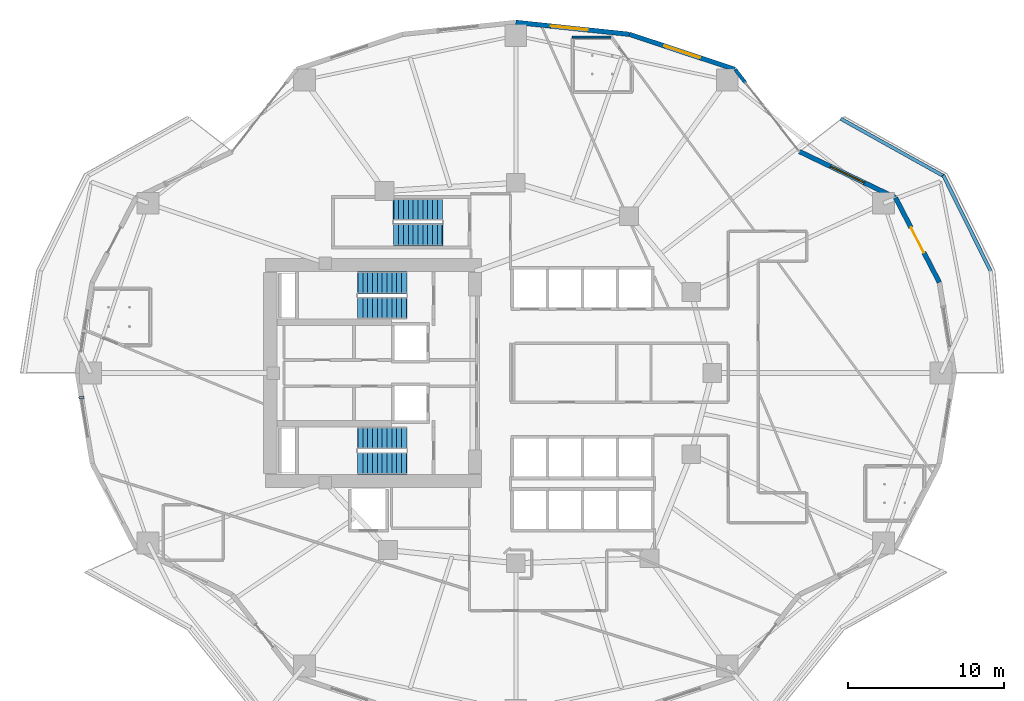
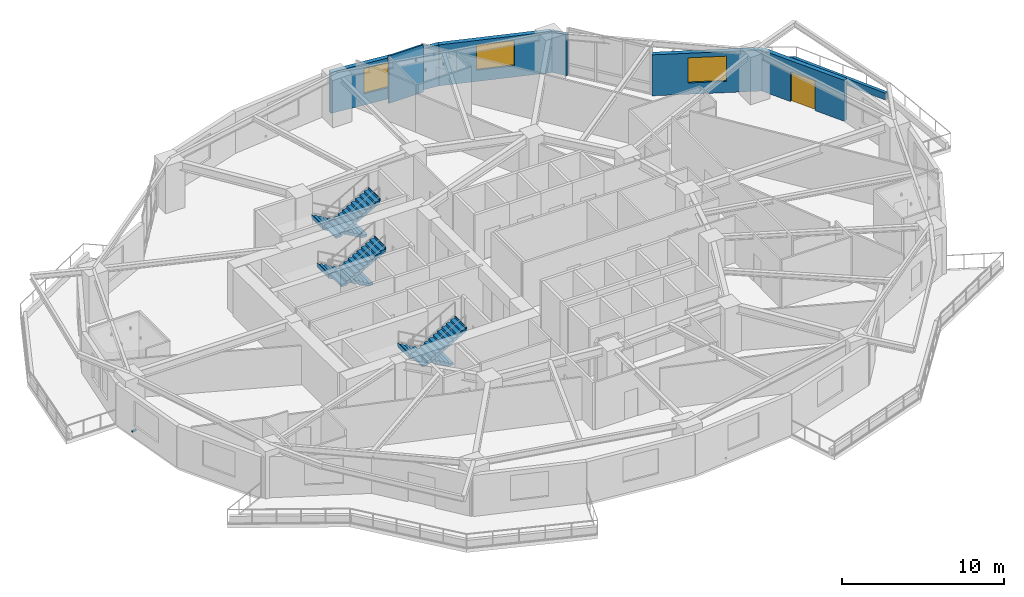
# One storey, part 9 of 18: 8 walls, 6 stair flights, 3 windows, 1 discrete accessory, 1 door, 4 openings, 3 elements without a shape of their own.
"""IFC4 building model written with IfcOpenShell, lengths in metres."""

from ifc_helpers import new_model, si_unit, direction, frame, frame_2d, origin, origin_2d, place, context, subcontext, project, spatial, polyline, rectangle, outline, extrude, material, layer, layer_set, type_object, element, fill, aggregate, save


model = new_model("IFC4")

# Units and contexts
model_context = context("Model", 3, precision=1e-05, world=origin(), true_north=direction((0.0, 1.0)))
body_context = subcontext(model_context, "Body", "Model", "MODEL_VIEW")
ifc_project = project(units=[si_unit("LENGTHUNIT", "METRE"), si_unit("AREAUNIT", "SQUARE_METRE"), si_unit("VOLUMEUNIT", "CUBIC_METRE"), si_unit("PLANEANGLEUNIT", "RADIAN"), si_unit("MASSUNIT", "GRAM", prefix="KILO")], contexts=[model_context])

# Site, building, storey
site_placement = place(None, origin())
site = spatial("IfcSite", under=ifc_project, at=site_placement, CompositionType="ELEMENT")
building_placement = place(site_placement, origin())
building = spatial("IfcBuilding", under=site, at=building_placement, Name="Kolvaren Gate Tower and Convention Centre", CompositionType="ELEMENT")
storey_placement = place(building_placement, frame((0.0, 0.0, 30.35009765625)))
storey = spatial("IfcBuildingStorey", under=building, at=storey_placement, Name="L06", CompositionType="ELEMENT", Elevation=30.35009765625)

# Walls
ifc_material_1 = material(Name="Fire-Rated Acoustic Gypsum Stud Partition", Category="gypsum")
ifc_layer_1 = layer(ifc_material_1, 0.1201171875)
ifc_layer_set_1 = layer_set([ifc_layer_1], Name="Fire-Rated Acoustic Gypsum Stud Partition")
wall_type_1 = type_object("IfcWallType", Name="ARCH-WL-PART-120", PredefinedType="PARTITIONING", material=ifc_layer_set_1)
wall_1_placement = place(storey_placement, frame((33.75, 48.550048828125, 0.0), z_axis=(0.0, 0.0, 1.0), x_axis=(1.0, 0.0, 0.0)))
element("IfcWall", 1, at=wall_1_placement, inside=storey, type_object=wall_type_1, Name="Interior Partition WL-L06-INT-058", PredefinedType="PARTITIONING", context=body_context, shape_type="SweptSolid", body=[
    extrude(rectangle(XDim=2.473388671875, YDim=0.1201171875, at=frame_2d((1.23681640625, 0.0))), origin(), (0.0, 0.0, 1.0), 3.56982421875),
])
ifc_material_2 = material(Name="Bogota Sabana Bush-Hammered Sandstone Cladding", Category="masonry")
ifc_layer_2 = layer(ifc_material_2, 0.219970703125)
ifc_layer_set_2 = layer_set([ifc_layer_2], Name="Bogota Sabana Bush-Hammered Sandstone Cladding")
wall_type_2 = type_object("IfcWallType", Name="ARCH-WL-PIER-220", PredefinedType="SOLIDWALL", material=ifc_layer_set_2)
wall_2_placement = place(storey_placement, frame((44.1875, 46.485595703125, 0.0), z_axis=(0.0, 0.0, 1.0), x_axis=(0.616387780378, -0.787442762492, 0.0)))
element("IfcWall", 2, at=wall_2_placement, inside=storey, type_object=wall_type_2, Name="Tower L06 Unitised Curtain Wall CW-OFF-UNIT Bay 03 Left Column Pier Wrap", PredefinedType="SOLIDWALL", context=body_context, shape_type="SweptSolid", body=[
    extrude(rectangle(XDim=1.076171875, YDim=0.219970703125, at=frame_2d((0.5380859375, 0.0))), origin(), (0.0, 0.0, 1.0), 3.093017578125),
])
ifc_material_3 = material(Name="Piedmont Cream Honed Limestone Cladding", Category="masonry")
ifc_layer_3 = layer(ifc_material_3, 0.219970703125)
ifc_layer_set_3 = layer_set([ifc_layer_3], Name="Piedmont Cream Honed Limestone Cladding")
wall_type_3 = type_object("IfcWallType", Name="ARCH-WL-PLANTER-220", PredefinedType="PARAPET", material=ifc_layer_set_3)
wall_3_placement = place(storey_placement, frame((57.538818359375, 39.696533203125, 0.0), z_axis=(0.0, 0.0, 1.0), x_axis=(0.443578479433, -0.8962355341, 0.0)))
element("IfcWall", 3, at=wall_3_placement, inside=storey, type_object=wall_type_3, Name="Vertical-Forest Balcony Stone Planter Kerb PK-L06-1.2", PredefinedType="PARAPET", context=body_context, shape_type="SweptSolid", body=[
    extrude(rectangle(XDim=6.9111328125, YDim=0.219970703125, at=frame_2d((3.45556640625, 0.0))), origin(), (0.0, 0.0, 1.0), 0.52001953125),
])
wall_4_placement = place(storey_placement, frame((50.959228515625, 43.322021484375, 0.0), z_axis=(0.0, 0.0, 1.0), x_axis=(0.873500119739, -0.48682393205, 0.0)))
element("IfcWall", 4, at=wall_4_placement, inside=storey, type_object=wall_type_3, Name="Vertical-Forest Balcony Stone Planter Kerb PK-L06-1.3", PredefinedType="PARAPET", context=body_context, shape_type="SweptSolid", body=[
    extrude(rectangle(XDim=7.56201171875, YDim=0.219970703125, at=frame_2d((3.781005859375, 0.0))), origin(), (0.0, 0.0, 1.0), 0.52001953125),
])

# Wall, opening, door
ifc_layer_4 = layer(ifc_material_3, 0.300048828125)
ifc_layer_set_4 = layer_set([ifc_layer_4], Name="Piedmont Cream Honed Limestone Cladding")
wall_type_4 = type_object("IfcWallType", Name="ARCH-WL-STONE-300", PredefinedType="SOLIDWALL", material=ifc_layer_set_4)
wall_5_placement = place(storey_placement, frame((54.48193359375, 38.25, 0.0), z_axis=(0.0, 0.0, 1.0), x_axis=(0.459809804413, -0.88801742312, 0.0)))
wall_5 = element("IfcWall", 5, at=wall_5_placement, inside=storey, type_object=wall_type_4, Name="Tower L06 Honed Stone Spandrel Wall EW-01", PredefinedType="SOLIDWALL", context=body_context, shape_type="SweptSolid", body=[
    extrude(rectangle(XDim=6.11083984375, YDim=0.300048828125, at=frame_2d((3.055419921875, 0.0))), origin(), (0.0, 0.0, 1.0), 3.093017578125),
])
opening_1_placement = place(wall_5_placement, frame((2.155029296875, 0.0, 0.0)))
opening_1 = element("IfcOpeningElement", 6, at=opening_1_placement, cuts=wall_5, Name="Opening DB-01", PredefinedType="OPENING", context=body_context, shape_type="SweptSolid", body=[
    extrude(rectangle(XDim=1.800048828125, YDim=2.25, at=frame_2d((0.89990234375, 1.125))), frame((0.0, 0.159912109375, 0.0), z_axis=(0.0, -1.0, 0.0), x_axis=(1.0, 0.0, 0.0)), (0.0, 0.0, 1.0), 0.320068359375),
])
ifc_material_4 = material(Name="Anodized Architectural Aluminium Alloy 6063-T6", Category="aluminium")
door_type = type_object("IfcDoorType", Name="ARCH-DR-BALC-1800", OperationType="SLIDING_TO_LEFT", PredefinedType="DOOR", material=ifc_material_4)
door_placement = place(opening_1_placement, origin())
door = element("IfcDoor", 7, at=door_placement, inside=storey, type_object=door_type, Name="Planted Sky Terrace Access Door DB-L06-01", OperationType="SLIDING_TO_LEFT", OverallHeight=2.25, OverallWidth=1.800048828125, PredefinedType="DOOR", context=body_context, shape_type="SweptSolid", body=[
    extrude(rectangle(XDim=1.800048828125, YDim=2.25, at=frame_2d((0.89990234375, 1.125))), frame((0.0, 0.02490234375, 0.0), z_axis=(0.0, -1.0, 0.0), x_axis=(1.0, 0.0, 0.0)), (0.0, 0.0, 1.0), 0.050048828125),
])
fill(opening_1, door)

# Wall, opening, window
wall_6_placement = place(storey_placement, frame((48.315185546875, 41.212890625, 0.0), z_axis=(0.0, 0.0, 1.0), x_axis=(0.901360393999, -0.433069786673, 0.0)))
wall_6 = element("IfcWall", 8, at=wall_6_placement, inside=storey, type_object=wall_type_4, Name="Tower L06 Honed Stone Spandrel Wall EW-02", PredefinedType="SOLIDWALL", context=body_context, shape_type="SweptSolid", body=[
    extrude(rectangle(XDim=6.841552734375, YDim=0.300048828125, at=frame_2d((3.4208984375, 0.0))), origin(), (0.0, 0.0, 1.0), 3.093017578125),
])
opening_2_placement = place(wall_6_placement, frame((2.220947265625, 0.0, 0.85009765625)))
opening_2 = element("IfcOpeningElement", 9, at=opening_2_placement, cuts=wall_6, Name="Opening W-01", PredefinedType="OPENING", context=body_context, shape_type="SweptSolid", body=[
    extrude(rectangle(XDim=2.39990234375, YDim=1.89990234375, at=frame_2d((1.199951171875, 0.949951171875))), frame((0.0, 0.159912109375, 0.0), z_axis=(0.0, -1.0, 0.0), x_axis=(1.0, 0.0, 0.0)), (0.0, 0.0, 1.0), 0.320068359375),
])
ifc_material_5 = material(Name="Low-E Triple Insulated Glazing Unit 44 mm", Category="glass")
window_type = type_object("IfcWindowType", Name="ARCH-WN-OFF-2400", PartitioningType="SINGLE_PANEL", PredefinedType="WINDOW", material=ifc_material_5)
window_1_placement = place(opening_2_placement, origin())
window_1 = element("IfcWindow", 10, at=window_1_placement, inside=storey, type_object=window_type, Name="Tower L06 Punched Stone Facade Window W-02", OverallHeight=1.89990234375, OverallWidth=2.39990234375, PartitioningType="SINGLE_PANEL", PredefinedType="WINDOW", context=body_context, shape_type="SweptSolid", body=[
    extrude(rectangle(XDim=2.39990234375, YDim=1.89990234375, at=frame_2d((1.199951171875, 0.949951171875))), frame((0.0, 0.030029296875, 0.0), z_axis=(0.0, -1.0, 0.0), x_axis=(1.0, 0.0, 0.0)), (0.0, 0.0, 1.0), 0.06005859375),
])
fill(opening_2, window_1)

wall_7_placement = place(storey_placement, frame((37.404296875, 48.7333984375, 0.0), z_axis=(0.0, 0.0, 1.0), x_axis=(0.949238715533, -0.31455661006, 0.0)))
wall_7 = element("IfcWall", 11, at=wall_7_placement, inside=storey, type_object=wall_type_4, Name="Tower L06 Honed Stone Spandrel Wall EW-04", PredefinedType="SOLIDWALL", context=body_context, shape_type="SweptSolid", body=[
    extrude(rectangle(XDim=7.14599609375, YDim=0.300048828125, at=frame_2d((3.572998046875, 0.0))), origin(), (0.0, 0.0, 1.0), 3.093017578125),
])
opening_3_placement = place(wall_7_placement, frame((2.373046875, 0.0, 0.85009765625)))
opening_3 = element("IfcOpeningElement", 12, at=opening_3_placement, cuts=wall_7, Name="Opening W-01", PredefinedType="OPENING", context=body_context, shape_type="SweptSolid", body=[
    extrude(rectangle(XDim=2.39990234375, YDim=1.89990234375, at=frame_2d((1.199951171875, 0.949951171875))), frame((0.0, 0.159912109375, 0.0), z_axis=(0.0, -1.0, 0.0), x_axis=(1.0, 0.0, 0.0)), (0.0, 0.0, 1.0), 0.320068359375),
])
window_2_placement = place(opening_3_placement, origin())
window_2 = element("IfcWindow", 13, at=window_2_placement, inside=storey, type_object=window_type, Name="Tower L06 Punched Stone Facade Window W-04", OverallHeight=1.89990234375, OverallWidth=2.39990234375, PartitioningType="SINGLE_PANEL", PredefinedType="WINDOW", context=body_context, shape_type="SweptSolid", body=[
    extrude(rectangle(XDim=2.39990234375, YDim=1.89990234375, at=frame_2d((1.199951171875, 0.949951171875))), frame((0.0, 0.030029296875, 0.0), z_axis=(0.0, -1.0, 0.0), x_axis=(1.0, 0.0, 0.0)), (0.0, 0.0, 1.0), 0.06005859375),
])
fill(opening_3, window_2)

wall_8_placement = place(storey_placement, frame((30.125, 49.5, 0.0), z_axis=(0.0, 0.0, 1.0), x_axis=(0.994500334317, -0.104733399844, 0.0)))
wall_8 = element("IfcWall", 14, at=wall_8_placement, inside=storey, type_object=wall_type_4, Name="Tower L06 Honed Stone Spandrel Wall EW-05", PredefinedType="SOLIDWALL", context=body_context, shape_type="SweptSolid", body=[
    extrude(rectangle(XDim=7.319580078125, YDim=0.300048828125, at=frame_2d((3.65966796875, 0.0))), origin(), (0.0, 0.0, 1.0), 3.093017578125),
])
opening_4_placement = place(wall_8_placement, frame((2.25, 0.0, 0.85009765625)))
opening_4 = element("IfcOpeningElement", 15, at=opening_4_placement, cuts=wall_8, Name="Opening W-01", PredefinedType="OPENING", context=body_context, shape_type="SweptSolid", body=[
    extrude(rectangle(XDim=2.39990234375, YDim=1.89990234375, at=frame_2d((1.199951171875, 0.949951171875))), frame((0.0, 0.159912109375, 0.0), z_axis=(0.0, -1.0, 0.0), x_axis=(1.0, 0.0, 0.0)), (0.0, 0.0, 1.0), 0.320068359375),
])
window_3_placement = place(opening_4_placement, origin())
window_3 = element("IfcWindow", 16, at=window_3_placement, inside=storey, type_object=window_type, Name="Tower L06 Punched Stone Facade Window W-05", OverallHeight=1.89990234375, OverallWidth=2.39990234375, PartitioningType="SINGLE_PANEL", PredefinedType="WINDOW", context=body_context, shape_type="SweptSolid", body=[
    extrude(rectangle(XDim=2.39990234375, YDim=1.89990234375, at=frame_2d((1.199951171875, 0.949951171875))), frame((0.0, 0.030029296875, 0.0), z_axis=(0.0, -1.0, 0.0), x_axis=(1.0, 0.0, 0.0)), (0.0, 0.0, 1.0), 0.06005859375),
])
fill(opening_4, window_3)

# Stair, stair flights
ifc_material_6 = material(Name="Concrete C50/60", Category="concrete")
stair_type = type_object("IfcStairType", Name="STR-STAIR-CORE", PredefinedType="HALF_TURN_STAIR", material=ifc_material_6)
stair_1_placement = place(storey_placement, origin())
stair_1 = element("IfcStair", 17, at=stair_1_placement, inside=storey, type_object=stair_type, Name="L06 Tower North Exit Stair ST-T1", PredefinedType="HALF_TURN_STAIR")
stair_flight_type = type_object("IfcStairFlightType", Name="STR-SFL-1420", PredefinedType="STRAIGHT", material=ifc_material_6)
stair_flight_1_placement = place(storey_placement, frame((23.10009765625, 32.7900390625, 0.0), z_axis=(0.0, 0.0, 1.0), x_axis=(-1.0, 0.0, 0.0)))
stair_flight_1 = element("IfcStairFlight", 18, at=stair_flight_1_placement, type_object=stair_flight_type, Name="ST-T1 flight 1", NumberOfRisers=11, NumberOfTreads=10, PredefinedType="STRAIGHT", RiserHeight=0.175, TreadLength=0.31, context=body_context, shape_type="SweptSolid", body=[
    extrude(outline(polyline([(-0.034912109375, 0.0), (-0.034912109375, 0.175048828125), (0.31005859375, 0.175048828125), (0.31005859375, 0.35009765625), (0.6201171875, 0.35009765625), (0.6201171875, 0.52490234375), (0.929931640625, 0.52490234375), (0.929931640625, 0.699951171875), (1.239990234375, 0.699951171875), (1.239990234375, 0.875), (1.550048828125, 0.875), (1.550048828125, 1.050048828125), (1.860107421875, 1.050048828125), (1.860107421875, 1.22509765625), (2.169921875, 1.22509765625), (2.169921875, 1.39990234375), (2.47998046875, 1.39990234375), (2.47998046875, 1.574951171875), (2.7900390625, 1.574951171875), (2.7900390625, 1.75), (3.10009765625, 1.75), (3.10009765625, 1.925048828125), (3.14501953125, 1.925048828125), (3.14501953125, 1.764892578125), (3.10009765625, 1.577880859375), (0.304931640625, 0.0), (-0.034912109375, 0.0)])), frame((0.0, 0.7099609375, 0.0), z_axis=(0.0, -1.0, 0.0), x_axis=(1.0, 0.0, 0.0)), (0.0, 0.0, 1.0), 1.419921875),
])
stair_flight_2_placement = place(storey_placement, frame((20.0, 31.169921875, 1.9248046875), z_axis=(0.0, 0.0, 1.0), x_axis=(1.0, 0.0, 0.0)))
stair_flight_2 = element("IfcStairFlight", 19, at=stair_flight_2_placement, type_object=stair_flight_type, Name="ST-T1 flight 2", NumberOfRisers=11, NumberOfTreads=10, PredefinedType="STRAIGHT", RiserHeight=0.175, TreadLength=0.31, context=body_context, shape_type="SweptSolid", body=[
    extrude(outline(polyline([(-0.034912109375, 0.0), (-0.034912109375, 0.175048828125), (0.31005859375, 0.175048828125), (0.31005859375, 0.35009765625), (0.6201171875, 0.35009765625), (0.6201171875, 0.52490234375), (0.929931640625, 0.52490234375), (0.929931640625, 0.699951171875), (1.239990234375, 0.699951171875), (1.239990234375, 0.875), (1.550048828125, 0.875), (1.550048828125, 1.050048828125), (1.860107421875, 1.050048828125), (1.860107421875, 1.22509765625), (2.169921875, 1.22509765625), (2.169921875, 1.39990234375), (2.47998046875, 1.39990234375), (2.47998046875, 1.574951171875), (2.7900390625, 1.574951171875), (2.7900390625, 1.75), (3.10009765625, 1.75), (3.10009765625, 1.925048828125), (3.14501953125, 1.925048828125), (3.14501953125, 1.764892578125), (3.10009765625, 1.577880859375), (0.304931640625, 0.0), (-0.034912109375, 0.0)])), frame((0.0, 0.7099609375, 0.0), z_axis=(0.0, -1.0, 0.0), x_axis=(1.0, 0.0, 0.0)), (0.0, 0.0, 1.0), 1.419921875),
])
aggregate(stair_1, [stair_flight_1, stair_flight_2])

stair_2_placement = place(storey_placement, origin())
stair_2 = element("IfcStair", 20, at=stair_2_placement, inside=storey, type_object=stair_type, Name="L06 Tower South Exit Stair ST-T2", PredefinedType="HALF_TURN_STAIR")
stair_flight_3_placement = place(storey_placement, frame((23.10009765625, 22.830078125, 0.0), z_axis=(0.0, 0.0, 1.0), x_axis=(-1.0, 0.0, 0.0)))
stair_flight_3 = element("IfcStairFlight", 21, at=stair_flight_3_placement, type_object=stair_flight_type, Name="ST-T2 flight 1", NumberOfRisers=11, NumberOfTreads=10, PredefinedType="STRAIGHT", RiserHeight=0.175, TreadLength=0.31, context=body_context, shape_type="SweptSolid", body=[
    extrude(outline(polyline([(-0.034912109375, 0.0), (-0.034912109375, 0.175048828125), (0.31005859375, 0.175048828125), (0.31005859375, 0.35009765625), (0.6201171875, 0.35009765625), (0.6201171875, 0.52490234375), (0.929931640625, 0.52490234375), (0.929931640625, 0.699951171875), (1.239990234375, 0.699951171875), (1.239990234375, 0.875), (1.550048828125, 0.875), (1.550048828125, 1.050048828125), (1.860107421875, 1.050048828125), (1.860107421875, 1.22509765625), (2.169921875, 1.22509765625), (2.169921875, 1.39990234375), (2.47998046875, 1.39990234375), (2.47998046875, 1.574951171875), (2.7900390625, 1.574951171875), (2.7900390625, 1.75), (3.10009765625, 1.75), (3.10009765625, 1.925048828125), (3.14501953125, 1.925048828125), (3.14501953125, 1.764892578125), (3.10009765625, 1.577880859375), (0.304931640625, 0.0), (-0.034912109375, 0.0)])), frame((0.0, 0.7099609375, 0.0), z_axis=(0.0, -1.0, 0.0), x_axis=(1.0, 0.0, 0.0)), (0.0, 0.0, 1.0), 1.419921875),
])
stair_flight_4_placement = place(storey_placement, frame((20.0, 21.2099609375, 1.9248046875), z_axis=(0.0, 0.0, 1.0), x_axis=(1.0, 0.0, 0.0)))
stair_flight_4 = element("IfcStairFlight", 22, at=stair_flight_4_placement, type_object=stair_flight_type, Name="ST-T2 flight 2", NumberOfRisers=11, NumberOfTreads=10, PredefinedType="STRAIGHT", RiserHeight=0.175, TreadLength=0.31, context=body_context, shape_type="SweptSolid", body=[
    extrude(outline(polyline([(-0.034912109375, 0.0), (-0.034912109375, 0.175048828125), (0.31005859375, 0.175048828125), (0.31005859375, 0.35009765625), (0.6201171875, 0.35009765625), (0.6201171875, 0.52490234375), (0.929931640625, 0.52490234375), (0.929931640625, 0.699951171875), (1.239990234375, 0.699951171875), (1.239990234375, 0.875), (1.550048828125, 0.875), (1.550048828125, 1.050048828125), (1.860107421875, 1.050048828125), (1.860107421875, 1.22509765625), (2.169921875, 1.22509765625), (2.169921875, 1.39990234375), (2.47998046875, 1.39990234375), (2.47998046875, 1.574951171875), (2.7900390625, 1.574951171875), (2.7900390625, 1.75), (3.10009765625, 1.75), (3.10009765625, 1.925048828125), (3.14501953125, 1.925048828125), (3.14501953125, 1.764892578125), (3.10009765625, 1.577880859375), (0.304931640625, 0.0), (-0.034912109375, 0.0)])), frame((0.0, 0.7099609375, 0.0), z_axis=(0.0, -1.0, 0.0), x_axis=(1.0, 0.0, 0.0)), (0.0, 0.0, 1.0), 1.419921875),
])
aggregate(stair_2, [stair_flight_3, stair_flight_4])

stair_3_placement = place(storey_placement, origin())
stair_3 = element("IfcStair", 23, at=stair_3_placement, inside=storey, type_object=stair_type, Name="L06 Tower Mid-Zone Exit Stair ST-T3", PredefinedType="HALF_TURN_STAIR")
stair_flight_5_placement = place(storey_placement, frame((25.39990234375, 37.489990234375, 0.0), z_axis=(0.0, 0.0, 1.0), x_axis=(-1.0, 0.0, 0.0)))
stair_flight_5 = element("IfcStairFlight", 24, at=stair_flight_5_placement, type_object=stair_flight_type, Name="ST-T3 flight 1", NumberOfRisers=11, NumberOfTreads=10, PredefinedType="STRAIGHT", RiserHeight=0.175, TreadLength=0.31, context=body_context, shape_type="SweptSolid", body=[
    extrude(outline(polyline([(-0.034912109375, 0.0), (-0.034912109375, 0.175048828125), (0.31005859375, 0.175048828125), (0.31005859375, 0.35009765625), (0.6201171875, 0.35009765625), (0.6201171875, 0.52490234375), (0.929931640625, 0.52490234375), (0.929931640625, 0.699951171875), (1.239990234375, 0.699951171875), (1.239990234375, 0.875), (1.550048828125, 0.875), (1.550048828125, 1.050048828125), (1.860107421875, 1.050048828125), (1.860107421875, 1.22509765625), (2.169921875, 1.22509765625), (2.169921875, 1.39990234375), (2.47998046875, 1.39990234375), (2.47998046875, 1.574951171875), (2.7900390625, 1.574951171875), (2.7900390625, 1.75), (3.10009765625, 1.75), (3.10009765625, 1.925048828125), (3.14501953125, 1.925048828125), (3.14501953125, 1.764892578125), (3.10009765625, 1.577880859375), (0.304931640625, 0.0), (-0.034912109375, 0.0)])), frame((0.0, 0.7099609375, 0.0), z_axis=(0.0, -1.0, 0.0), x_axis=(1.0, 0.0, 0.0)), (0.0, 0.0, 1.0), 1.419921875),
])
stair_flight_6_placement = place(storey_placement, frame((22.300048828125, 35.8701171875, 1.9248046875), z_axis=(0.0, 0.0, 1.0), x_axis=(1.0, 0.0, 0.0)))
stair_flight_6 = element("IfcStairFlight", 25, at=stair_flight_6_placement, type_object=stair_flight_type, Name="ST-T3 flight 2", NumberOfRisers=11, NumberOfTreads=10, PredefinedType="STRAIGHT", RiserHeight=0.175, TreadLength=0.31, context=body_context, shape_type="SweptSolid", body=[
    extrude(outline(polyline([(-0.034912109375, 0.0), (-0.034912109375, 0.175048828125), (0.31005859375, 0.175048828125), (0.31005859375, 0.35009765625), (0.6201171875, 0.35009765625), (0.6201171875, 0.52490234375), (0.929931640625, 0.52490234375), (0.929931640625, 0.699951171875), (1.239990234375, 0.699951171875), (1.239990234375, 0.875), (1.550048828125, 0.875), (1.550048828125, 1.050048828125), (1.860107421875, 1.050048828125), (1.860107421875, 1.22509765625), (2.169921875, 1.22509765625), (2.169921875, 1.39990234375), (2.47998046875, 1.39990234375), (2.47998046875, 1.574951171875), (2.7900390625, 1.574951171875), (2.7900390625, 1.75), (3.10009765625, 1.75), (3.10009765625, 1.925048828125), (3.14501953125, 1.925048828125), (3.14501953125, 1.764892578125), (3.10009765625, 1.577880859375), (0.304931640625, 0.0), (-0.034912109375, 0.0)])), frame((0.0, 0.7099609375, 0.0), z_axis=(0.0, -1.0, 0.0), x_axis=(1.0, 0.0, 0.0)), (0.0, 0.0, 1.0), 1.419921875),
])
aggregate(stair_3, [stair_flight_5, stair_flight_6])

# Discrete accessory
discrete_accessory_type = type_object("IfcDiscreteAccessoryType", Name="ARCH-ACC-BRACKET-120", PredefinedType="BRACKET", material=ifc_material_4)
discrete_accessory_placement = place(storey_placement, frame((2.25830078125, 25.43017578125, 0.289794921875), z_axis=(0.0, 0.0, 1.0), x_axis=(0.162377123682, -0.986728772108, 0.0)))
element("IfcDiscreteAccessory", 26, at=discrete_accessory_placement, inside=storey, type_object=discrete_accessory_type, Name="Ceramic Fin Wall Anchor Bracket FBK-L06-12", PredefinedType="BRACKET", context=body_context, shape_type="SweptSolid", body=[
    extrude(rectangle(XDim=0.1201171875, YDim=0.320068359375, at=origin_2d()), origin(), (0.0, 0.0, 1.0), 0.1201171875),
])

save(model, "model.ifc")
